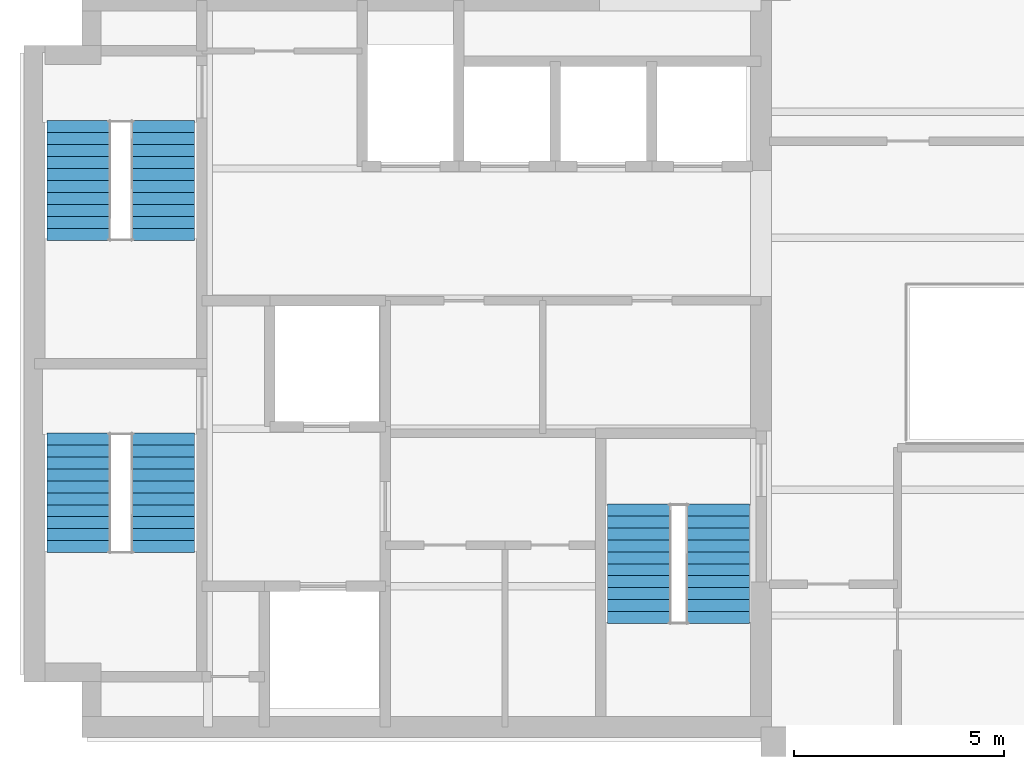
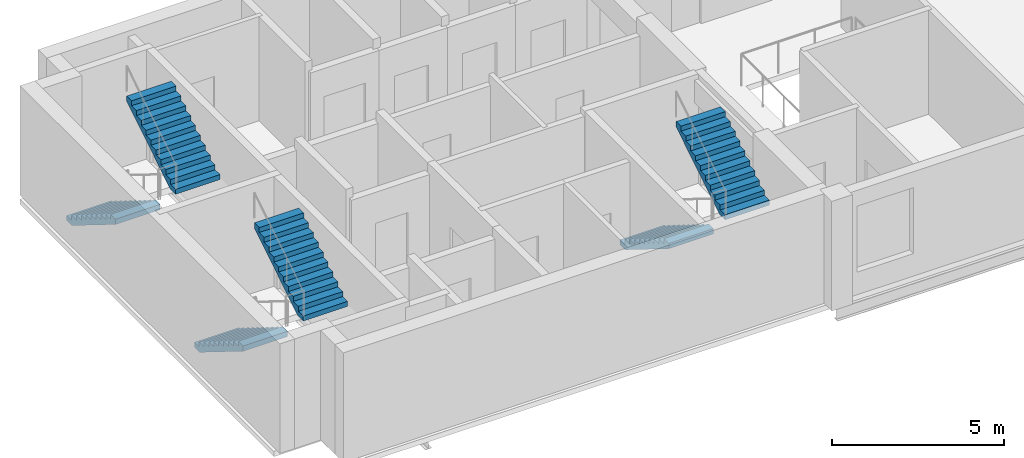
# One storey, part 4 of 5: 6 stair flights, 3 elements without a shape of their own.
"""IFC4 building model written with IfcOpenShell, lengths in metres."""

import ifcopenshell
import ifcopenshell.guid

model = None  # the IFC model being written
_history = None  # IfcOwnerHistory: only IFC2X3 demands one
_inside = {}  # id of a spatial element -> (the spatial element, [elements in it])
_under = {}  # id of a project, library or spatial element -> (it, [spatial elements below it])
_declared = {}  # id of a project -> (the project, [libraries it declares])
_typed = {}  # id of a type object -> (the type object, [elements of that type])
_made_of = {}  # id of a material, layer set ... -> (it, [elements and type objects made of it])


def new_model(schema):
    """Start an empty IFC model of exactly this schema.

    Asked for "IFC4X3", IfcOpenShell would pick the latest addendum, in which some entities
    have other attributes; the version numbers below select the first issue.
    IFC2X3 requires an IfcOwnerHistory on every rooted entity: one is made here for all.
    """
    global model, _history
    if schema == "IFC4X3":
        model = ifcopenshell.file(schema_version=(4, 3, 0, 0))
    else:
        model = ifcopenshell.file(schema=schema)
    _inside.clear()
    _under.clear()
    _declared.clear()
    _typed.clear()
    _made_of.clear()
    _history = None
    if model.schema == "IFC2X3":
        org = make("IfcOrganization", Name="unknown")
        user = make(
            "IfcPersonAndOrganization",
            ThePerson=make("IfcPerson", FamilyName="unknown"),
            TheOrganization=org,
        )
        app = make(
            "IfcApplication",
            ApplicationDeveloper=org,
            Version="unknown",
            ApplicationFullName="unknown",
            ApplicationIdentifier="unknown",
        )
        _history = make(
            "IfcOwnerHistory",
            OwningUser=user,
            OwningApplication=app,
            ChangeAction="ADDED",
            CreationDate=0,
        )
    return model


def make(cls, **values):
    """One entity of the class cls with the attributes given. An attribute that is None is left unset."""
    return model.create_entity(
        cls, **{name: value for name, value in values.items() if value is not None}
    )


def rooted(cls, **values):
    """An entity with a GlobalId (a new one), such as an element, a storey or a relation."""
    return make(cls, GlobalId=ifcopenshell.guid.new(), OwnerHistory=_history, **values)


def si_unit(unit_type, name, prefix=None):
    """IfcSIUnit, for example si_unit("LENGTHUNIT", "METRE", prefix="MILLI")."""
    return make("IfcSIUnit", UnitType=unit_type, Prefix=prefix, Name=name)


def assignment(units):
    """IfcUnitAssignment: the units of a project."""
    return None if units is None else make("IfcUnitAssignment", Units=units)


def point(xyz):
    """IfcCartesianPoint."""
    return None if xyz is None else make("IfcCartesianPoint", Coordinates=xyz)


def direction(xyz):
    """IfcDirection."""
    return None if xyz is None else make("IfcDirection", DirectionRatios=xyz)


def frame(location, z_axis=None, x_axis=None):
    """IfcAxis2Placement3D, a coordinate frame: its origin and axes. An axis left out is left unset."""
    return make(
        "IfcAxis2Placement3D",
        Location=point(location),
        Axis=direction(z_axis),
        RefDirection=direction(x_axis),
    )


def origin():
    """The frame at (0, 0, 0) with its axes left unset."""
    return frame((0.0, 0.0, 0.0))


def place(relative_to, where):
    """IfcLocalPlacement: puts the frame where relative to a parent placement (None: the world)."""
    return make(
        "IfcLocalPlacement", PlacementRelTo=relative_to, RelativePlacement=where
    )


def context(
    kind, dimensions, precision=None, world=None, true_north=None, identifier=None
):
    """IfcGeometricRepresentationContext, for example the 3D "Model" context."""
    return make(
        "IfcGeometricRepresentationContext",
        ContextIdentifier=identifier,
        ContextType=kind,
        CoordinateSpaceDimension=dimensions,
        Precision=precision,
        WorldCoordinateSystem=world,
        TrueNorth=true_north,
    )


def subcontext(parent, identifier, kind, view, scale=None):
    """IfcGeometricRepresentationSubContext, for example "Body" below "Model"."""
    return make(
        "IfcGeometricRepresentationSubContext",
        ContextIdentifier=identifier,
        ContextType=kind,
        ParentContext=parent,
        TargetScale=scale,
        TargetView=view,
    )


def project(units=None, contexts=None):
    """IfcProject with its units and contexts."""
    return rooted(
        "IfcProject",
        Name="project",
        RepresentationContexts=contexts,
        UnitsInContext=assignment(units),
    )


def spatial(cls, under=None, at=None, **own):
    """A site, building, storey or space (cls), placed at a placement, below another one or the project."""
    s = rooted(cls, ObjectPlacement=at, **own)
    if under is not None:
        _under.setdefault(under.id(), (under, []))[1].append(s)
    return s


def polyline(points):
    """IfcPolyline through the points."""
    return make("IfcPolyline", Points=[point(p) for p in points])


def outline(outer, holes=None, kind="AREA"):
    """IfcArbitraryClosedProfileDef: a profile drawn as a closed curve; with holes, ...WithVoids."""
    if holes is None:
        return make("IfcArbitraryClosedProfileDef", ProfileType=kind, OuterCurve=outer)
    return make(
        "IfcArbitraryProfileDefWithVoids",
        ProfileType=kind,
        OuterCurve=outer,
        InnerCurves=holes,
    )


def extrude(swept, where, along, depth):
    """IfcExtrudedAreaSolid: the profile swept, set in the frame where, extruded along a direction by depth."""
    return make(
        "IfcExtrudedAreaSolid",
        SweptArea=swept,
        Position=where,
        ExtrudedDirection=direction(along),
        Depth=depth,
    )


def shape(context_of_items, identifier, shape_type, items):
    """IfcShapeRepresentation: the items that make up one representation, for example the "Body"."""
    return make(
        "IfcShapeRepresentation",
        ContextOfItems=context_of_items,
        RepresentationIdentifier=identifier,
        RepresentationType=shape_type,
        Items=items,
    )


def material(Name=None, Category=None):
    """IfcMaterial."""
    return make("IfcMaterial", Name=Name, Category=Category)


def made_of(thing, what):
    """Note that an element or type object is made of a material, layer set ...; save() writes the relation."""
    if what is not None:
        _made_of.setdefault(what.id(), (what, []))[1].append(thing)
    return thing


def type_object(cls, material=None, **own):
    """A type object (cls), such as IfcWallType, which elements share."""
    return made_of(rooted(cls, **own), material)


def element(
    cls,
    number,
    at=None,
    inside=None,
    cuts=None,
    type_object=None,
    material=None,
    context=None,
    identifier="Body",
    shape_type=None,
    held_by="IfcProductDefinitionShape",
    body=None,
    shapes=None,
    **own,
):
    """One element of the class cls, such as IfcWall. Its Tag is "e" and its number.

    at: its placement. inside: the storey or other place that contains it. cuts: it is an
    opening in that element (IfcRelVoidsElement). A single representation is given by context,
    identifier, shape_type and body (its items); several are given by shapes. held_by: the class
    of the entity that holds the representations. save() writes the other relations.
    """
    e = rooted(cls, Tag="e%d" % number, ObjectPlacement=at, **own)
    if body is not None:
        shapes = [shape(context, identifier, shape_type, body)]
    if shapes is not None:
        e.Representation = make(held_by, Representations=shapes)
    if inside is not None:
        _inside.setdefault(inside.id(), (inside, []))[1].append(e)
    if cuts is not None:
        rooted(
            "IfcRelVoidsElement", RelatingBuildingElement=cuts, RelatedOpeningElement=e
        )
    if type_object is not None:
        _typed.setdefault(type_object.id(), (type_object, []))[1].append(e)
    return made_of(e, material)


def aggregate(whole, parts):
    """IfcRelAggregates: a whole, such as a stair, and the parts it consists of."""
    return rooted("IfcRelAggregates", RelatingObject=whole, RelatedObjects=parts)


def save(model, path):
    """Write the relations noted so far, then the file.

    IfcRelAggregates (storeys below a building ...), IfcRelContainedInSpatialStructure (elements
    in a storey), IfcRelDefinesByType, IfcRelAssociatesMaterial and IfcRelDeclares: one each for
    every whole, place, type object, material and project.
    """
    for whole, parts in _under.values():
        aggregate(whole, parts)
    for where, things in _inside.values():
        rooted(
            "IfcRelContainedInSpatialStructure",
            RelatedElements=things,
            RelatingStructure=where,
        )
    for kind, things in _typed.values():
        rooted("IfcRelDefinesByType", RelatedObjects=things, RelatingType=kind)
    for what, things in _made_of.values():
        rooted("IfcRelAssociatesMaterial", RelatedObjects=things, RelatingMaterial=what)
    for by, libraries in _declared.values():
        rooted("IfcRelDeclares", RelatingContext=by, RelatedDefinitions=libraries)
    model.write(path)


model = new_model("IFC4")

# Units and contexts
model_context = context("Model", 3, precision=1e-05, world=origin(), true_north=direction((0.0, 1.0)))
body_context = subcontext(model_context, "Body", "Model", "MODEL_VIEW")
ifc_project = project(units=[si_unit("LENGTHUNIT", "METRE"), si_unit("AREAUNIT", "SQUARE_METRE"), si_unit("VOLUMEUNIT", "CUBIC_METRE"), si_unit("PLANEANGLEUNIT", "RADIAN"), si_unit("MASSUNIT", "GRAM", prefix="KILO")], contexts=[model_context])

# Site, building, storey
site_placement = place(None, origin())
site = spatial("IfcSite", under=ifc_project, at=site_placement, CompositionType="ELEMENT")
building_placement = place(site_placement, origin())
building = spatial("IfcBuilding", under=site, at=building_placement, Name="Mawjdan Bourse Tower", CompositionType="ELEMENT")
storey_placement = place(building_placement, frame((0.0, 0.0, 301.5)))
storey = spatial("IfcBuildingStorey", under=building, at=storey_placement, Name="L74", CompositionType="ELEMENT", Elevation=301.5)

# Stair, stair flights
ifc_material = material(Name="Concrete C50/60", Category="concrete")
stair_type = type_object("IfcStairType", Name="STR-CORE-1500", PredefinedType="HALF_TURN_STAIR", material=ifc_material)
stair_1_placement = place(storey_placement, origin())
stair_1 = element("IfcStair", 1, at=stair_1_placement, inside=storey, type_object=stair_type, Name="L74 Exit Stair 1 (Core South-West)", PredefinedType="HALF_TURN_STAIR")
stair_flight_type = type_object("IfcStairFlightType", Name="SFL-RC-1500", PredefinedType="STRAIGHT", material=ifc_material)
stair_flight_1_placement = place(storey_placement, frame((7.389892578125, 10.35009765625, 0.0), z_axis=(0.0, 0.0, 1.0), x_axis=(0.0, -1.0, 0.0)))
stair_flight_1 = element("IfcStairFlight", 2, at=stair_flight_1_placement, type_object=stair_flight_type, Name="ST1-L74 flight 1", NumberOfRisers=11, NumberOfTreads=10, PredefinedType="STRAIGHT", RiserHeight=0.177273, TreadLength=0.285, context=body_context, shape_type="SweptSolid", body=[
    extrude(outline(polyline([(0.0, 0.0), (0.0, 0.17724609375), (0.284912109375, 0.17724609375), (0.284912109375, 0.3544921875), (0.570068359375, 0.3544921875), (0.570068359375, 0.53173828125), (0.85498046875, 0.53173828125), (0.85498046875, 0.708984375), (1.139892578125, 0.708984375), (1.139892578125, 0.886474609375), (1.425048828125, 0.886474609375), (1.425048828125, 1.063720703125), (1.7099609375, 1.063720703125), (1.7099609375, 1.240966796875), (1.9951171875, 1.240966796875), (1.9951171875, 1.418212890625), (2.280029296875, 1.418212890625), (2.280029296875, 1.595458984375), (2.56494140625, 1.595458984375), (2.56494140625, 1.772705078125), (2.85009765625, 1.772705078125), (2.85009765625, 1.949951171875), (2.85009765625, 1.58447265625), (0.302734375, 0.0), (0.0, 0.0)])), frame((0.0, 0.75, 0.0), z_axis=(0.0, -1.0, 0.0), x_axis=(1.0, 0.0, 0.0)), (0.0, 0.0, 1.0), 1.5),
])
stair_flight_2_placement = place(storey_placement, frame((9.409912109375, 7.5, 1.949951171875), z_axis=(0.0, 0.0, 1.0), x_axis=(0.0, 1.0, 0.0)))
stair_flight_2 = element("IfcStairFlight", 3, at=stair_flight_2_placement, type_object=stair_flight_type, Name="ST1-L74 flight 2", NumberOfRisers=11, NumberOfTreads=10, PredefinedType="STRAIGHT", RiserHeight=0.177273, TreadLength=0.285, context=body_context, shape_type="SweptSolid", body=[
    extrude(outline(polyline([(0.0, 0.0), (0.0, 0.17724609375), (0.284912109375, 0.17724609375), (0.284912109375, 0.3544921875), (0.570068359375, 0.3544921875), (0.570068359375, 0.53173828125), (0.85498046875, 0.53173828125), (0.85498046875, 0.708984375), (1.139892578125, 0.708984375), (1.139892578125, 0.886474609375), (1.425048828125, 0.886474609375), (1.425048828125, 1.063720703125), (1.7099609375, 1.063720703125), (1.7099609375, 1.240966796875), (1.9951171875, 1.240966796875), (1.9951171875, 1.418212890625), (2.280029296875, 1.418212890625), (2.280029296875, 1.595458984375), (2.56494140625, 1.595458984375), (2.56494140625, 1.772705078125), (2.85009765625, 1.772705078125), (2.85009765625, 1.949951171875), (2.85009765625, 1.58447265625), (0.302734375, 0.0), (0.0, 0.0)])), frame((0.0, 0.75, 0.0), z_axis=(0.0, -1.0, 0.0), x_axis=(1.0, 0.0, 0.0)), (0.0, 0.0, 1.0), 1.5),
])
aggregate(stair_1, [stair_flight_1, stair_flight_2])

stair_2_placement = place(storey_placement, origin())
stair_2 = element("IfcStair", 4, at=stair_2_placement, inside=storey, type_object=stair_type, Name="L74 Exit Stair 2 (Core North-West)", PredefinedType="HALF_TURN_STAIR")
stair_flight_3_placement = place(storey_placement, frame((7.389892578125, 17.7900390625, 0.0), z_axis=(0.0, 0.0, 1.0), x_axis=(0.0, -1.0, 0.0)))
stair_flight_3 = element("IfcStairFlight", 5, at=stair_flight_3_placement, type_object=stair_flight_type, Name="ST2-L74 flight 1", NumberOfRisers=11, NumberOfTreads=10, PredefinedType="STRAIGHT", RiserHeight=0.177273, TreadLength=0.285, context=body_context, shape_type="SweptSolid", body=[
    extrude(outline(polyline([(0.0, 0.0), (0.0, 0.17724609375), (0.284912109375, 0.17724609375), (0.284912109375, 0.3544921875), (0.570068359375, 0.3544921875), (0.570068359375, 0.53173828125), (0.85498046875, 0.53173828125), (0.85498046875, 0.708984375), (1.139892578125, 0.708984375), (1.139892578125, 0.886474609375), (1.425048828125, 0.886474609375), (1.425048828125, 1.063720703125), (1.7099609375, 1.063720703125), (1.7099609375, 1.240966796875), (1.9951171875, 1.240966796875), (1.9951171875, 1.418212890625), (2.280029296875, 1.418212890625), (2.280029296875, 1.595458984375), (2.56494140625, 1.595458984375), (2.56494140625, 1.772705078125), (2.85009765625, 1.772705078125), (2.85009765625, 1.949951171875), (2.85009765625, 1.58447265625), (0.302734375, 0.0), (0.0, 0.0)])), frame((0.0, 0.75, 0.0), z_axis=(0.0, -1.0, 0.0), x_axis=(1.0, 0.0, 0.0)), (0.0, 0.0, 1.0), 1.5),
])
stair_flight_4_placement = place(storey_placement, frame((9.409912109375, 14.93994140625, 1.949951171875), z_axis=(0.0, 0.0, 1.0), x_axis=(0.0, 1.0, 0.0)))
stair_flight_4 = element("IfcStairFlight", 6, at=stair_flight_4_placement, type_object=stair_flight_type, Name="ST2-L74 flight 2", NumberOfRisers=11, NumberOfTreads=10, PredefinedType="STRAIGHT", RiserHeight=0.177273, TreadLength=0.285, context=body_context, shape_type="SweptSolid", body=[
    extrude(outline(polyline([(0.0, 0.0), (0.0, 0.17724609375), (0.284912109375, 0.17724609375), (0.284912109375, 0.3544921875), (0.570068359375, 0.3544921875), (0.570068359375, 0.53173828125), (0.85498046875, 0.53173828125), (0.85498046875, 0.708984375), (1.139892578125, 0.708984375), (1.139892578125, 0.886474609375), (1.425048828125, 0.886474609375), (1.425048828125, 1.063720703125), (1.7099609375, 1.063720703125), (1.7099609375, 1.240966796875), (1.9951171875, 1.240966796875), (1.9951171875, 1.418212890625), (2.280029296875, 1.418212890625), (2.280029296875, 1.595458984375), (2.56494140625, 1.595458984375), (2.56494140625, 1.772705078125), (2.85009765625, 1.772705078125), (2.85009765625, 1.949951171875), (2.85009765625, 1.58447265625), (0.302734375, 0.0), (0.0, 0.0)])), frame((0.0, 0.75, 0.0), z_axis=(0.0, -1.0, 0.0), x_axis=(1.0, 0.0, 0.0)), (0.0, 0.0, 1.0), 1.5),
])
aggregate(stair_2, [stair_flight_3, stair_flight_4])

stair_3_placement = place(storey_placement, origin())
stair_3 = element("IfcStair", 7, at=stair_3_placement, inside=storey, type_object=stair_type, Name="L74 Exit Stair 7 (Core South-East)", PredefinedType="HALF_TURN_STAIR")
stair_flight_5_placement = place(storey_placement, frame((20.739990234375, 8.659912109375, 0.0), z_axis=(0.0, 0.0, 1.0), x_axis=(0.0, -1.0, 0.0)))
stair_flight_5 = element("IfcStairFlight", 8, at=stair_flight_5_placement, type_object=stair_flight_type, Name="ST7-L74 flight 1", NumberOfRisers=11, NumberOfTreads=10, PredefinedType="STRAIGHT", RiserHeight=0.177273, TreadLength=0.285, context=body_context, shape_type="SweptSolid", body=[
    extrude(outline(polyline([(0.0, 0.0), (0.0, 0.17724609375), (0.284912109375, 0.17724609375), (0.284912109375, 0.3544921875), (0.570068359375, 0.3544921875), (0.570068359375, 0.53173828125), (0.85498046875, 0.53173828125), (0.85498046875, 0.708984375), (1.139892578125, 0.708984375), (1.139892578125, 0.886474609375), (1.425048828125, 0.886474609375), (1.425048828125, 1.063720703125), (1.7099609375, 1.063720703125), (1.7099609375, 1.240966796875), (1.9951171875, 1.240966796875), (1.9951171875, 1.418212890625), (2.280029296875, 1.418212890625), (2.280029296875, 1.595458984375), (2.56494140625, 1.595458984375), (2.56494140625, 1.772705078125), (2.85009765625, 1.772705078125), (2.85009765625, 1.949951171875), (2.85009765625, 1.58447265625), (0.302734375, 0.0), (0.0, 0.0)])), frame((0.0, 0.75, 0.0), z_axis=(0.0, -1.0, 0.0), x_axis=(1.0, 0.0, 0.0)), (0.0, 0.0, 1.0), 1.5),
])
stair_flight_6_placement = place(storey_placement, frame((22.6298828125, 5.81005859375, 1.949951171875), z_axis=(0.0, 0.0, 1.0), x_axis=(0.0, 1.0, 0.0)))
stair_flight_6 = element("IfcStairFlight", 9, at=stair_flight_6_placement, type_object=stair_flight_type, Name="ST7-L74 flight 2", NumberOfRisers=11, NumberOfTreads=10, PredefinedType="STRAIGHT", RiserHeight=0.177273, TreadLength=0.285, context=body_context, shape_type="SweptSolid", body=[
    extrude(outline(polyline([(0.0, 0.0), (0.0, 0.17724609375), (0.284912109375, 0.17724609375), (0.284912109375, 0.3544921875), (0.570068359375, 0.3544921875), (0.570068359375, 0.53173828125), (0.85498046875, 0.53173828125), (0.85498046875, 0.708984375), (1.139892578125, 0.708984375), (1.139892578125, 0.886474609375), (1.425048828125, 0.886474609375), (1.425048828125, 1.063720703125), (1.7099609375, 1.063720703125), (1.7099609375, 1.240966796875), (1.9951171875, 1.240966796875), (1.9951171875, 1.418212890625), (2.280029296875, 1.418212890625), (2.280029296875, 1.595458984375), (2.56494140625, 1.595458984375), (2.56494140625, 1.772705078125), (2.85009765625, 1.772705078125), (2.85009765625, 1.949951171875), (2.85009765625, 1.58447265625), (0.302734375, 0.0), (0.0, 0.0)])), frame((0.0, 0.75, 0.0), z_axis=(0.0, -1.0, 0.0), x_axis=(1.0, 0.0, 0.0)), (0.0, 0.0, 1.0), 1.5),
])
aggregate(stair_3, [stair_flight_5, stair_flight_6])

save(model, "model.ifc")
